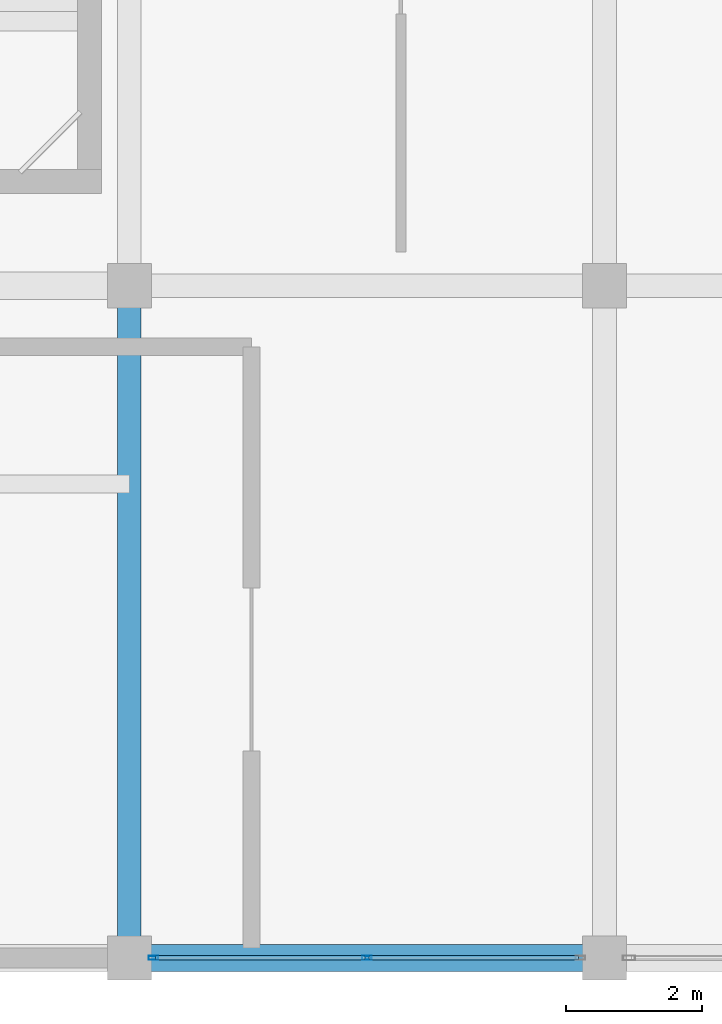
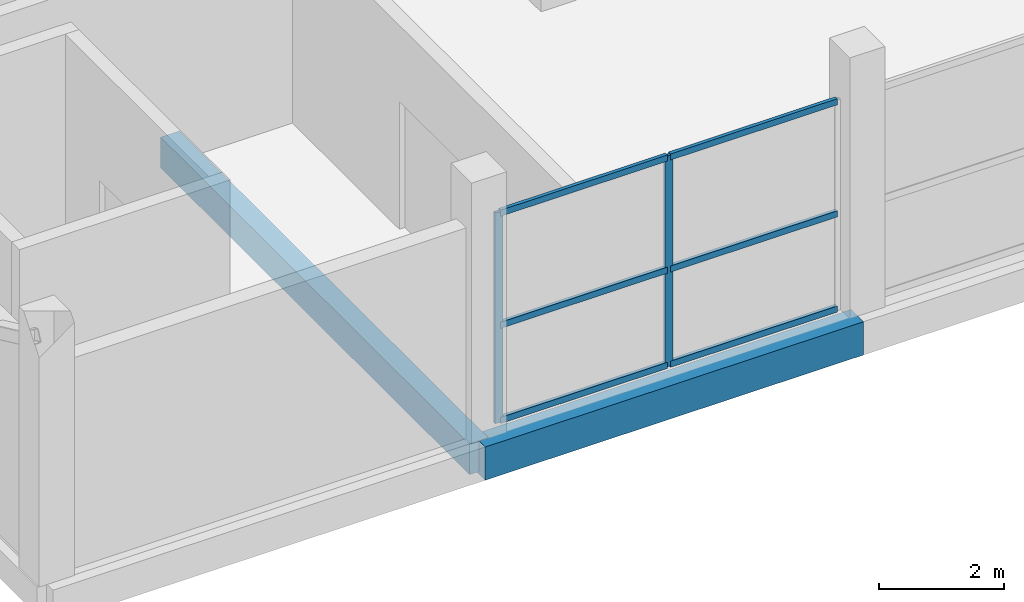
# One storey, part 2 of 66: 8 members, 2 beams, 1 element without a shape of its own.
"""IFC4 building model written with IfcOpenShell, lengths in metres."""

from ifc_helpers import new_model, si_unit, direction, frame, origin, origin_2d, place, context, subcontext, project, spatial, rectangle, hollow_rectangle, extrude, material, layer, layer_set, material_profile, profile_set, type_object, element, aggregate, save


model = new_model("IFC4")

# Units and contexts
model_context = context("Model", 3, precision=1e-05, world=origin(), true_north=direction((0.0, 1.0)))
body_context = subcontext(model_context, "Body", "Model", "MODEL_VIEW")
ifc_project = project(units=[si_unit("LENGTHUNIT", "METRE"), si_unit("AREAUNIT", "SQUARE_METRE"), si_unit("VOLUMEUNIT", "CUBIC_METRE"), si_unit("PLANEANGLEUNIT", "RADIAN"), si_unit("MASSUNIT", "GRAM", prefix="KILO")], contexts=[model_context])

# Site, building, storey
site_placement = place(None, origin())
site = spatial("IfcSite", under=ifc_project, at=site_placement, CompositionType="ELEMENT")
building_placement = place(site_placement, origin())
building = spatial("IfcBuilding", under=site, at=building_placement, Name="Sillaruma Civic Art Gallery", CompositionType="ELEMENT")
storey_placement = place(building_placement, frame((0.0, 0.0, 57.1201171875)))
storey = spatial("IfcBuildingStorey", under=building, at=storey_placement, Name="L11", CompositionType="ELEMENT", Elevation=57.1201171875)

# Beams
ifc_material_1 = material(Name="Concrete H35 (35 MPa)", Category="concrete")
ifc_material_profile_1 = material_profile(ifc_material_1, rectangle(XDim=0.35009765625, YDim=0.60009765625, at=origin_2d()), Name="RCB350x600")
ifc_profile_set_1 = profile_set([ifc_material_profile_1], Name="Concrete H35 (35 MPa)")
beam_type_1 = type_object("IfcBeamType", Name="BM-BEAM-RCB350x600", PredefinedType="BEAM", material=ifc_profile_set_1)
beam_1_placement = place(storey_placement, frame((70.0, 19.800048828125, -0.550048828125), z_axis=(0.0, 1.0, 0.0), x_axis=(-1.0, 0.0, 0.0)))
element("IfcBeam", 1, at=beam_1_placement, inside=storey, type_object=beam_type_1, Name="Beam BM-06 (L10:G:3-4)", PredefinedType="BEAM", context=body_context, shape_type="SweptSolid", body=[
    extrude(rectangle(XDim=0.35009765625, YDim=0.60009765625, at=origin_2d()), origin(), (0.0, 0.0, 1.0), 9.89990234375),
])
ifc_material_profile_2 = material_profile(ifc_material_1, rectangle(XDim=0.39990234375, YDim=0.64990234375, at=origin_2d()), Name="RCB400x650")
ifc_profile_set_2 = profile_set([ifc_material_profile_2], Name="Concrete H35 (35 MPa)")
beam_type_2 = type_object("IfcBeamType", Name="BM-SPANDREL-RCB400x650", PredefinedType="SPANDREL", material=ifc_profile_set_2)
beam_2_placement = place(storey_placement, frame((70.0, 19.800048828125, -0.5751953125), z_axis=(1.0, 0.0, 0.0), x_axis=(0.0, 1.0, 0.0)))
element("IfcBeam", 2, at=beam_2_placement, inside=storey, type_object=beam_type_2, Name="Beam BS-02 (L10:3:G-H)", PredefinedType="SPANDREL", context=body_context, shape_type="SweptSolid", body=[
    extrude(rectangle(XDim=0.39990234375, YDim=0.64990234375, at=origin_2d()), origin(), (0.0, 0.0, 1.0), 7.0),
])

# Curtain wall, members
ifc_material_2 = material(Name="Thermally Broken Extruded Aluminium 6063-T6", Category="aluminium")
ifc_layer = layer(ifc_material_2, 0.139892578125, Name="Thermally Broken Extruded Aluminium 6063-T6")
ifc_layer_set = layer_set([ifc_layer], Name="Thermally Broken Extruded Aluminium 6063-T6")
curtain_wall_type = type_object("IfcCurtainWallType", Name="CW-UNI-76", PredefinedType="NOTDEFINED", material=ifc_layer_set)
curtain_wall_placement = place(storey_placement, origin())
curtain_wall = element("IfcCurtainWall", 3, at=curtain_wall_placement, inside=storey, type_object=curtain_wall_type, Name="Unitised Curtain Wall CW-76 (CW-L11-WBS-2)", PredefinedType="NOTDEFINED")
ifc_material_profile_3 = material_profile(ifc_material_2, hollow_rectangle(XDim=0.06005859375, YDim=0.139892578125, WallThickness=0.00341796875, at=origin_2d()), Name="CWM60x140")
ifc_profile_set_3 = profile_set([ifc_material_profile_3], Name="Thermally Broken Extruded Aluminium 6063-T6")
member_type_1 = type_object("IfcMemberType", Name="MEM-MUL-CWM60x140", PredefinedType="MULLION", material=ifc_profile_set_3)
member_1_placement = place(storey_placement, frame((70.35498046875, 19.800048828125, 0.0), z_axis=(0.0, 0.0, 1.0), x_axis=(0.0, 1.0, 0.0)))
member_1 = element("IfcMember", 4, at=member_1_placement, type_object=member_type_1, Name="CW-76 mullion 1", PredefinedType="MULLION", context=body_context, shape_type="SweptSolid", body=[
    extrude(hollow_rectangle(XDim=0.06005859375, YDim=0.139892578125, WallThickness=0.00341796875, at=origin_2d()), origin(), (0.0, 0.0, 1.0), 4.119873046875),
])
member_2_placement = place(storey_placement, frame((73.5, 19.800048828125, 0.0), z_axis=(0.0, 0.0, 1.0), x_axis=(0.0, 1.0, 0.0)))
member_2 = element("IfcMember", 5, at=member_2_placement, type_object=member_type_1, Name="CW-76 mullion 2", PredefinedType="MULLION", context=body_context, shape_type="SweptSolid", body=[
    extrude(hollow_rectangle(XDim=0.06005859375, YDim=0.139892578125, WallThickness=0.00341796875, at=origin_2d()), origin(), (0.0, 0.0, 1.0), 4.119873046875),
])
ifc_material_profile_4 = material_profile(ifc_material_2, hollow_rectangle(XDim=0.06494140625, YDim=0.1201171875, WallThickness=0.00341796875, at=origin_2d()), Name="CWT65x120")
ifc_profile_set_4 = profile_set([ifc_material_profile_4], Name="Thermally Broken Extruded Aluminium 6063-T6")
member_type_2 = type_object("IfcMemberType", Name="MEM-TRN-CWT65x120", PredefinedType="USERDEFINED", material=ifc_profile_set_4)
member_3_placement = place(storey_placement, frame((70.385009765625, 19.800048828125, 0.032470703125), z_axis=(1.0, 0.0, 0.0), x_axis=(0.0, 1.0, 0.0)))
member_3 = element("IfcMember", 6, at=member_3_placement, type_object=member_type_2, Name="CW-76 transom 1.1", ObjectType="TRANSOM", PredefinedType="USERDEFINED", context=body_context, shape_type="SweptSolid", body=[
    extrude(hollow_rectangle(XDim=0.06494140625, YDim=0.1201171875, WallThickness=0.00341796875, at=origin_2d()), origin(), (0.0, 0.0, 1.0), 3.0849609375),
])
member_4_placement = place(storey_placement, frame((70.385009765625, 19.800048828125, 1.89501953125), z_axis=(1.0, 0.0, 0.0), x_axis=(0.0, 1.0, 0.0)))
member_4 = element("IfcMember", 7, at=member_4_placement, type_object=member_type_2, Name="CW-76 transom 1.2", ObjectType="TRANSOM", PredefinedType="USERDEFINED", context=body_context, shape_type="SweptSolid", body=[
    extrude(hollow_rectangle(XDim=0.06494140625, YDim=0.1201171875, WallThickness=0.00341796875, at=origin_2d()), origin(), (0.0, 0.0, 1.0), 3.0849609375),
])
member_5_placement = place(storey_placement, frame((70.385009765625, 19.800048828125, 4.08740234375), z_axis=(1.0, 0.0, 0.0), x_axis=(0.0, 1.0, 0.0)))
member_5 = element("IfcMember", 8, at=member_5_placement, type_object=member_type_2, Name="CW-76 transom 1.3", ObjectType="TRANSOM", PredefinedType="USERDEFINED", context=body_context, shape_type="SweptSolid", body=[
    extrude(hollow_rectangle(XDim=0.06494140625, YDim=0.1201171875, WallThickness=0.00341796875, at=origin_2d()), origin(), (0.0, 0.0, 1.0), 3.0849609375),
])
member_6_placement = place(storey_placement, frame((73.530029296875, 19.800048828125, 0.032470703125), z_axis=(1.0, 0.0, 0.0), x_axis=(0.0, 1.0, 0.0)))
member_6 = element("IfcMember", 9, at=member_6_placement, type_object=member_type_2, Name="CW-76 transom 2.1", ObjectType="TRANSOM", PredefinedType="USERDEFINED", context=body_context, shape_type="SweptSolid", body=[
    extrude(hollow_rectangle(XDim=0.06494140625, YDim=0.1201171875, WallThickness=0.00341796875, at=origin_2d()), origin(), (0.0, 0.0, 1.0), 3.0849609375),
])
member_7_placement = place(storey_placement, frame((73.530029296875, 19.800048828125, 1.89501953125), z_axis=(1.0, 0.0, 0.0), x_axis=(0.0, 1.0, 0.0)))
member_7 = element("IfcMember", 10, at=member_7_placement, type_object=member_type_2, Name="CW-76 transom 2.2", ObjectType="TRANSOM", PredefinedType="USERDEFINED", context=body_context, shape_type="SweptSolid", body=[
    extrude(hollow_rectangle(XDim=0.06494140625, YDim=0.1201171875, WallThickness=0.00341796875, at=origin_2d()), origin(), (0.0, 0.0, 1.0), 3.0849609375),
])
member_8_placement = place(storey_placement, frame((73.530029296875, 19.800048828125, 4.08740234375), z_axis=(1.0, 0.0, 0.0), x_axis=(0.0, 1.0, 0.0)))
member_8 = element("IfcMember", 11, at=member_8_placement, type_object=member_type_2, Name="CW-76 transom 2.3", ObjectType="TRANSOM", PredefinedType="USERDEFINED", context=body_context, shape_type="SweptSolid", body=[
    extrude(hollow_rectangle(XDim=0.06494140625, YDim=0.1201171875, WallThickness=0.00341796875, at=origin_2d()), origin(), (0.0, 0.0, 1.0), 3.0849609375),
])
aggregate(curtain_wall, [member_1, member_2, member_3, member_4, member_5, member_6, member_7, member_8])

save(model, "model.ifc")
